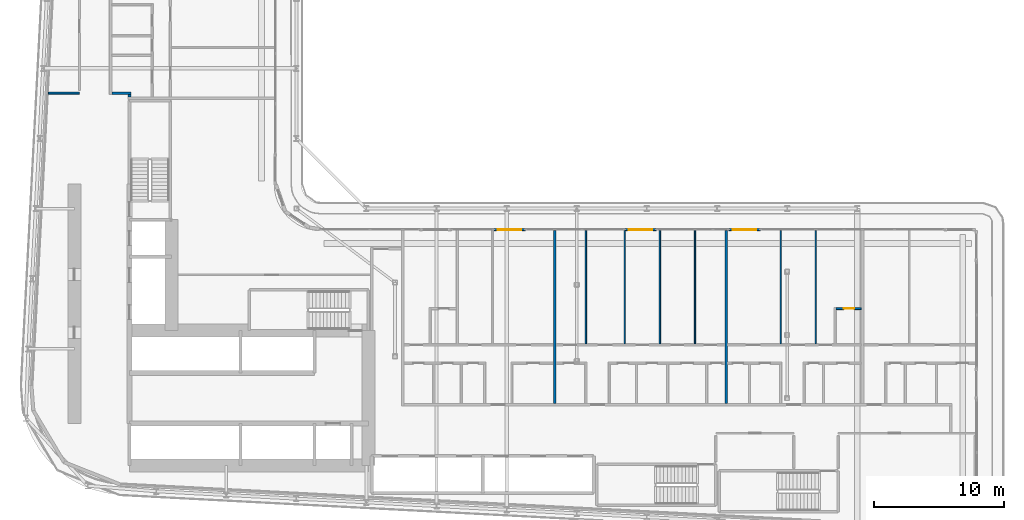
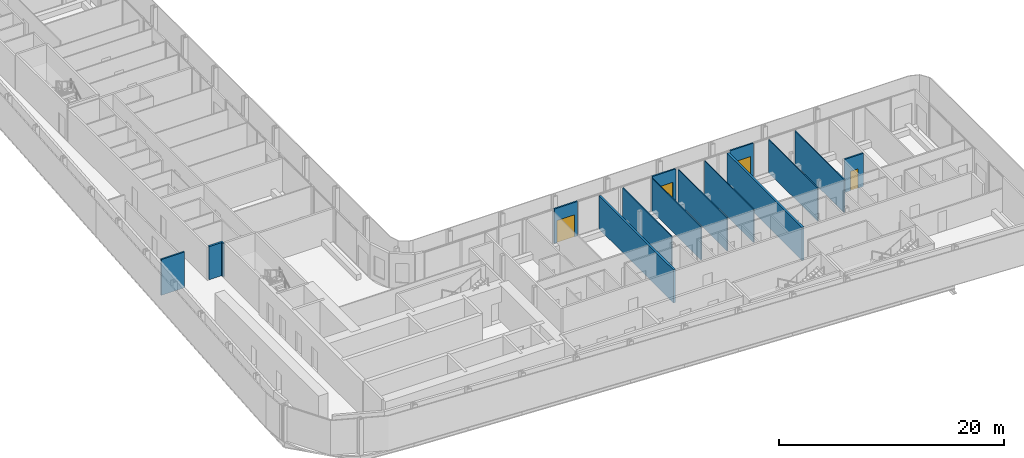
# One storey, part 16 of 28: 15 walls, 4 doors, 4 openings.
"""IFC4 building model written with IfcOpenShell, lengths in metres."""

from ifc_helpers import new_model, si_unit, direction, frame, frame_2d, origin, place, context, subcontext, project, spatial, rectangle, extrude, source, transform, mapped, material, layer, layer_set, type_object, element, fill, save


model = new_model("IFC4")

# Units and contexts
model_context = context("Model", 3, precision=1e-05, world=origin(), true_north=direction((0.0, 1.0)))
body_context = subcontext(model_context, "Body", "Model", "MODEL_VIEW")
ifc_project = project(units=[si_unit("LENGTHUNIT", "METRE"), si_unit("AREAUNIT", "SQUARE_METRE"), si_unit("VOLUMEUNIT", "CUBIC_METRE"), si_unit("PLANEANGLEUNIT", "RADIAN"), si_unit("MASSUNIT", "GRAM", prefix="KILO")], contexts=[model_context])

# Site, building, storey
site_placement = place(None, origin())
site = spatial("IfcSite", under=ifc_project, at=site_placement, CompositionType="ELEMENT")
building_placement = place(site_placement, origin())
building = spatial("IfcBuilding", under=site, at=building_placement, Name="Kheshtan School and Residences Tower", CompositionType="ELEMENT")
storey_placement = place(building_placement, frame((0.0, 0.0, 77.300048828125)))
storey = spatial("IfcBuildingStorey", under=building, at=storey_placement, Name="L18", CompositionType="ELEMENT", Elevation=77.300048828125)

# Walls
ifc_material_1 = material(Name="Gypsum board on steel studs with fire boards", Category="steel")
ifc_layer_1 = layer(ifc_material_1, 0.199951171875)
ifc_layer_set_1 = layer_set([ifc_layer_1], Name="Corridor wall 200")
wall_type_1 = type_object("IfcWallType", Name="Corridor wall 200", PredefinedType="PARTITIONING", material=ifc_layer_set_1)
wall_1_placement = place(storey_placement, frame((33.39990234375, 54.5, 0.0), z_axis=(0.0, 0.0, 1.0), x_axis=(1.0, 0.0, 0.0)))
element("IfcWall", 1, at=wall_1_placement, inside=storey, type_object=wall_type_1, Name="Partition L18-006", PredefinedType="PARTITIONING", context=body_context, shape_type="SweptSolid", body=[
    extrude(rectangle(XDim=1.4501953125, YDim=0.199951171875, at=frame_2d((0.72509765625, 0.0))), origin(), (0.0, 0.0, 1.0), 3.599853515625),
])
wall_2_placement = place(storey_placement, frame((34.75, 54.199951171875, 0.0), z_axis=(0.0, 0.0, 1.0), x_axis=(0.0, 1.0, 0.0)))
element("IfcWall", 2, at=wall_2_placement, inside=storey, type_object=wall_type_1, Name="Partition L18-021", PredefinedType="PARTITIONING", context=body_context, shape_type="SweptSolid", body=[
    extrude(rectangle(XDim=0.199951171875, YDim=0.199951171875, at=frame_2d((0.10009765625, 0.0))), origin(), (0.0, 0.0, 1.0), 3.599853515625),
])

# Wall, opening, door
ifc_material_2 = material(Name="Aluminium frame wall with insulated infill", Category="aluminium")
ifc_layer_2 = layer(ifc_material_2, 0.14990234375)
ifc_layer_set_2 = layer_set([ifc_layer_2], Name="Glazing frame wall 150")
wall_type_2 = type_object("IfcWallType", Name="Glazing frame wall 150", PredefinedType="SOLIDWALL", material=ifc_layer_set_2)
wall_3_placement = place(storey_placement, frame((62.823974609375, 43.97509765625, 0.0), z_axis=(0.0, 0.0, 1.0), x_axis=(1.0, 0.0, 0.0)))
wall_3 = element("IfcWall", 3, at=wall_3_placement, inside=storey, type_object=wall_type_2, Name="Balcony door wall L18 12.2", PredefinedType="SOLIDWALL", context=body_context, shape_type="SweptSolid", body=[
    extrude(rectangle(XDim=2.400146484375, YDim=0.14990234375, at=frame_2d((1.2001953125, 0.0))), origin(), (0.0, 0.0, 1.0), 3.75),
])
opening_1_placement = place(wall_3_placement, frame((0.300048828125, 0.0, 0.0)))
opening_1 = element("IfcOpeningElement", 4, at=opening_1_placement, cuts=wall_3, Name="Opening BD", PredefinedType="OPENING", context=body_context, shape_type="SweptSolid", body=[
    extrude(rectangle(XDim=1.800048828125, YDim=2.39990234375, at=frame_2d((0.89990234375, 1.199951171875))), frame((0.0, 0.0849609375, 0.0), z_axis=(0.0, -1.0, 0.0), x_axis=(1.0, 0.0, 0.0)), (0.0, 0.0, 1.0), 0.169921875),
])
ifc_material_3 = material(Name="Clear low-e glass in thermally broken aluminium frame", Category="aluminium")
door_type_1 = type_object("IfcDoorType", Name="Balcony sliding door", OperationType="SLIDING_TO_LEFT", PredefinedType="DOOR", material=ifc_material_3)
shared_shape_1 = source(origin(), body_context, "Body", "SweptSolid", [
    extrude(rectangle(XDim=1.800048828125, YDim=2.39990234375, at=frame_2d((0.89990234375, 1.199951171875))), frame((0.0, 0.02490234375, 0.0), z_axis=(0.0, -1.0, 0.0), x_axis=(1.0, 0.0, 0.0)), (0.0, 0.0, 1.0), 0.050048828125),
])
door_1_placement = place(opening_1_placement, origin())
door_1 = element("IfcDoor", 5, at=door_1_placement, inside=storey, type_object=door_type_1, Name="Balcony door L18 12.2", OperationType="SLIDING_TO_LEFT", OverallHeight=2.39990234375, OverallWidth=1.800048828125, PredefinedType="DOOR", context=body_context, shape_type="MappedRepresentation", body=[
    mapped(shared_shape_1, transform((0.0, 0.0, 0.0), x_axis=(1.0, 0.0, 0.0), y_axis=(0.0, 1.0, 0.0), z_axis=(0.0, 0.0, 1.0), scale=1.0)),
])
fill(opening_1, door_1)

wall_4_placement = place(storey_placement, frame((72.91796875, 43.97509765625, 0.0), z_axis=(0.0, 0.0, 1.0), x_axis=(1.0, 0.0, 0.0)))
wall_4 = element("IfcWall", 6, at=wall_4_placement, inside=storey, type_object=wall_type_2, Name="Balcony door wall L18 12.3", PredefinedType="SOLIDWALL", context=body_context, shape_type="SweptSolid", body=[
    extrude(rectangle(XDim=2.400146484375, YDim=0.14990234375, at=frame_2d((1.2001953125, 0.0))), origin(), (0.0, 0.0, 1.0), 3.75),
])
opening_2_placement = place(wall_4_placement, frame((0.300048828125, 0.0, 0.0)))
opening_2 = element("IfcOpeningElement", 7, at=opening_2_placement, cuts=wall_4, Name="Opening BD", PredefinedType="OPENING", context=body_context, shape_type="SweptSolid", body=[
    extrude(rectangle(XDim=1.800048828125, YDim=2.39990234375, at=frame_2d((0.89990234375, 1.199951171875))), frame((0.0, 0.0849609375, 0.0), z_axis=(0.0, -1.0, 0.0), x_axis=(1.0, 0.0, 0.0)), (0.0, 0.0, 1.0), 0.169921875),
])
door_2_placement = place(opening_2_placement, origin())
door_2 = element("IfcDoor", 8, at=door_2_placement, inside=storey, type_object=door_type_1, Name="Balcony door L18 12.3", OperationType="SLIDING_TO_LEFT", OverallHeight=2.39990234375, OverallWidth=1.800048828125, PredefinedType="DOOR", context=body_context, shape_type="MappedRepresentation", body=[
    mapped(shared_shape_1, transform((0.0, 0.0, 0.0), x_axis=(1.0, 0.0, 0.0), y_axis=(0.0, 1.0, 0.0), z_axis=(0.0, 0.0, 1.0), scale=1.0)),
])
fill(opening_2, door_2)

wall_5_placement = place(storey_placement, frame((80.912109375, 43.97509765625, 0.0), z_axis=(0.0, 0.0, 1.0), x_axis=(1.0, 0.0, 0.0)))
wall_5 = element("IfcWall", 9, at=wall_5_placement, inside=storey, type_object=wall_type_2, Name="Balcony door wall L18 12.4", PredefinedType="SOLIDWALL", context=body_context, shape_type="SweptSolid", body=[
    extrude(rectangle(XDim=2.39990234375, YDim=0.14990234375, at=frame_2d((1.199951171875, 0.0))), origin(), (0.0, 0.0, 1.0), 3.75),
])
opening_3_placement = place(wall_5_placement, frame((0.300048828125, 0.0, 0.0)))
opening_3 = element("IfcOpeningElement", 10, at=opening_3_placement, cuts=wall_5, Name="Opening BD", PredefinedType="OPENING", context=body_context, shape_type="SweptSolid", body=[
    extrude(rectangle(XDim=1.800048828125, YDim=2.39990234375, at=frame_2d((0.89990234375, 1.199951171875))), frame((0.0, 0.0849609375, 0.0), z_axis=(0.0, -1.0, 0.0), x_axis=(1.0, 0.0, 0.0)), (0.0, 0.0, 1.0), 0.169921875),
])
door_3_placement = place(opening_3_placement, origin())
door_3 = element("IfcDoor", 11, at=door_3_placement, inside=storey, type_object=door_type_1, Name="Balcony door L18 12.4", OperationType="SLIDING_TO_LEFT", OverallHeight=2.39990234375, OverallWidth=1.800048828125, PredefinedType="DOOR", context=body_context, shape_type="MappedRepresentation", body=[
    mapped(shared_shape_1, transform((0.0, 0.0, 0.0), x_axis=(1.0, 0.0, 0.0), y_axis=(0.0, 1.0, 0.0), z_axis=(0.0, 0.0, 1.0), scale=1.0)),
])
fill(opening_3, door_3)

# Walls
ifc_material_4 = material(Name="Gypsum board on steel studs", Category="steel")
ifc_layer_3 = layer(ifc_material_4, 0.10009765625)
ifc_layer_set_3 = layer_set([ifc_layer_3], Name="Gypsum partition 100")
wall_type_3 = type_object("IfcWallType", Name="Gypsum partition 100", PredefinedType="PARTITIONING", material=ifc_layer_set_3)
for number, where, z_axis, x_axis, name in (
    (12, (69.89990234375, 35.175048828125, 0.0), (0.0, 0.0, 1.0), (0.0, 1.0, 0.0), "Partition L18-063"),
    (13, (72.89990234375, 35.175048828125, 0.0), (0.0, 0.0, 1.0), (0.0, 1.0, 0.0), "Partition L18-066"),
    (14, (75.60009765625, 35.175048828125, 0.0), (0.0, 0.0, 1.0), (0.0, 1.0, 0.0), "Partition L18-068"),
    (15, (78.300048828125, 35.175048828125, 0.0), (0.0, 0.0, 1.0), (0.0, 1.0, 0.0), "Partition L18-070"),
    (16, (84.89990234375, 35.175048828125, 0.0), (0.0, 0.0, 1.0), (0.0, 1.0, 0.0), "Partition L18-077"),
    (17, (87.60009765625, 35.175048828125, 0.0), (0.0, 0.0, 1.0), (0.0, 1.0, 0.0), "Partition L18-080"),
):
    element("IfcWall", number, at=place(storey_placement, frame(where, z_axis=z_axis, x_axis=x_axis)), inside=storey, type_object=wall_type_3, Name=name, PredefinedType="PARTITIONING", context=body_context, shape_type="SweptSolid", body=[
        extrude(rectangle(XDim=8.724853515625, YDim=0.10009765625, at=frame_2d((4.3623046875, 0.0))), origin(), (0.0, 0.0, 1.0), 3.599853515625),
    ])
ifc_material_5 = material(Name="Fire-board shaft wall system")
ifc_layer_4 = layer(ifc_material_5, 0.14990234375)
ifc_layer_set_4 = layer_set([ifc_layer_4], Name="Service room wall 150")
wall_type_4 = type_object("IfcWallType", Name="Service room wall 150", PredefinedType="PARTITIONING", material=ifc_layer_set_4)
wall_6_placement = place(storey_placement, frame((28.508056640625, 54.5, 0.0), z_axis=(0.0, 0.0, 1.0), x_axis=(1.0, 0.0, 0.0)))
element("IfcWall", 18, at=wall_6_placement, inside=storey, type_object=wall_type_4, Name="Service room wall", PredefinedType="PARTITIONING", context=body_context, shape_type="SweptSolid", body=[
    extrude(rectangle(XDim=2.391845703125, YDim=0.14990234375, at=frame_2d((1.19580078125, 0.0))), origin(), (0.0, 0.0, 1.0), 3.89990234375),
])
ifc_material_6 = material(Name="Twin gypsum board on steel studs with mineral wool", Category="steel")
ifc_layer_5 = layer(ifc_material_6, 0.199951171875)
ifc_layer_set_5 = layer_set([ifc_layer_5], Name="Unit demising wall 200")
wall_type_5 = type_object("IfcWallType", Name="Unit demising wall 200", PredefinedType="PARTITIONING", material=ifc_layer_set_5)
for number, where, z_axis, x_axis, name in (
    (19, (67.5, 30.60009765625, 0.0), (0.0, 0.0, 1.0), (0.0, 1.0, 0.0), "Partition L18-059"),
    (20, (80.699951171875, 30.60009765625, 0.0), (0.0, 0.0, 1.0), (0.0, 1.0, 0.0), "Partition L18-072"),
):
    element("IfcWall", number, at=place(storey_placement, frame(where, z_axis=z_axis, x_axis=x_axis)), inside=storey, type_object=wall_type_5, Name=name, PredefinedType="PARTITIONING", context=body_context, shape_type="SweptSolid", body=[
        extrude(rectangle(XDim=13.2998046875, YDim=0.199951171875, at=frame_2d((6.64990234375, 0.0))), origin(), (0.0, 0.0, 1.0), 3.599853515625),
    ])

# Wall, opening, door
ifc_material_7 = material(Name="Moisture-resistant gypsum board on steel studs", Category="steel")
ifc_layer_6 = layer(ifc_material_7, 0.14990234375)
ifc_layer_set_6 = layer_set([ifc_layer_6], Name="Wet-room partition 150")
wall_type_6 = type_object("IfcWallType", Name="Wet-room partition 150", PredefinedType="PARTITIONING", material=ifc_layer_set_6)
wall_7_placement = place(storey_placement, frame((89.175048828125, 37.89990234375, 0.0), z_axis=(0.0, 0.0, 1.0), x_axis=(1.0, 0.0, 0.0)))
wall_7 = element("IfcWall", 21, at=wall_7_placement, inside=storey, type_object=wall_type_6, Name="Partition L18-083", PredefinedType="PARTITIONING", context=body_context, shape_type="SweptSolid", body=[
    extrude(rectangle(XDim=1.925048828125, YDim=0.14990234375, at=frame_2d((0.96240234375, 0.0))), origin(), (0.0, 0.0, 1.0), 3.599853515625),
])
opening_4_placement = place(wall_7_placement, frame((0.574951171875, 0.0, 0.0)))
opening_4 = element("IfcOpeningElement", 22, at=opening_4_placement, cuts=wall_7, Name="Opening D17-023", PredefinedType="OPENING", context=body_context, shape_type="SweptSolid", body=[
    extrude(rectangle(XDim=0.800048828125, YDim=2.10009765625, at=frame_2d((0.39990234375, 1.050048828125))), frame((0.0, 0.0849609375, 0.0), z_axis=(0.0, -1.0, 0.0), x_axis=(1.0, 0.0, 0.0)), (0.0, 0.0, 1.0), 0.169921875),
])
ifc_material_8 = material(Name="Veneered timber door leaf", Category="wood")
door_type_2 = type_object("IfcDoorType", Name="Door 800 x 2100", OperationType="SINGLE_SWING_LEFT", PredefinedType="DOOR", material=ifc_material_8)
shared_shape_2 = source(origin(), body_context, "Body", "SweptSolid", [
    extrude(rectangle(XDim=0.800048828125, YDim=2.10009765625, at=frame_2d((0.39990234375, 1.050048828125))), frame((0.0, 0.02490234375, 0.0), z_axis=(0.0, -1.0, 0.0), x_axis=(1.0, 0.0, 0.0)), (0.0, 0.0, 1.0), 0.050048828125),
])
door_4_placement = place(opening_4_placement, origin())
door_4 = element("IfcDoor", 23, at=door_4_placement, inside=storey, type_object=door_type_2, Name="Door D17-023", OperationType="SINGLE_SWING_LEFT", OverallHeight=2.10009765625, OverallWidth=0.800048828125, PredefinedType="DOOR", context=body_context, shape_type="MappedRepresentation", body=[
    mapped(shared_shape_2, transform((0.0, 0.0, 0.0), x_axis=(1.0, 0.0, 0.0), y_axis=(0.0, 1.0, 0.0), z_axis=(0.0, 0.0, 1.0), scale=1.0)),
])
fill(opening_4, door_4)

save(model, "model.ifc")
